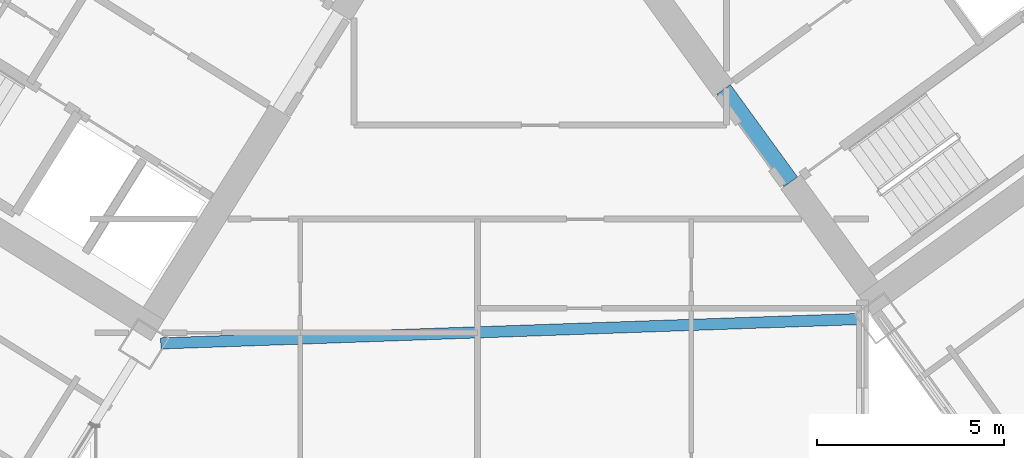
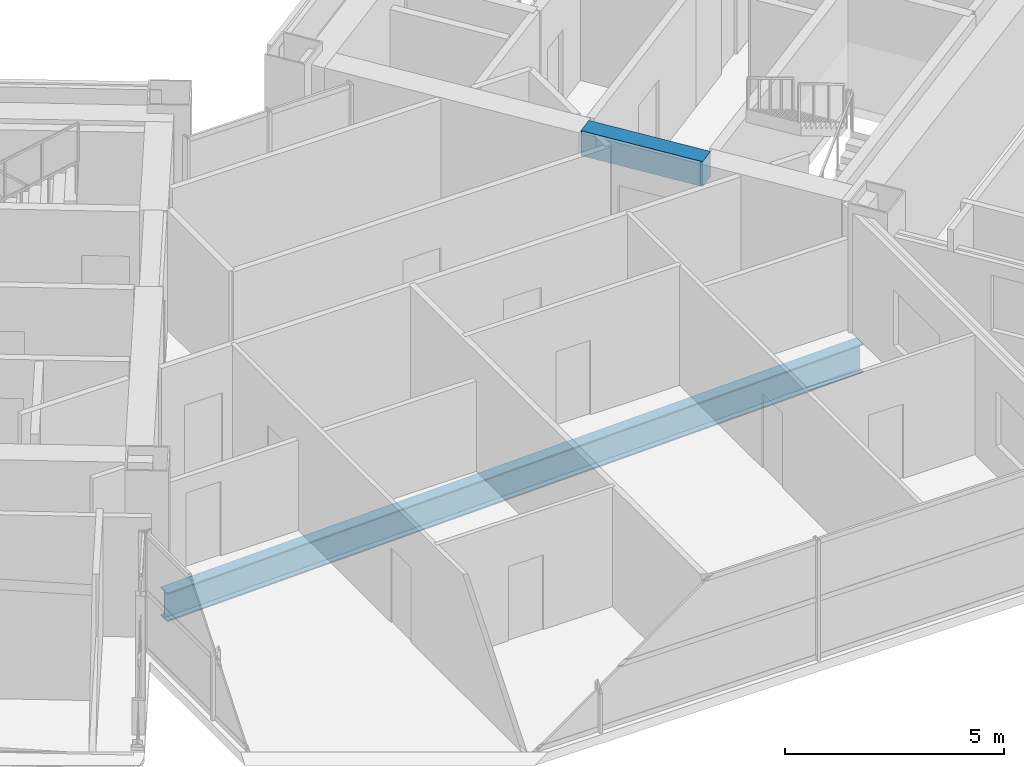
# One storey, part 8 of 28: 2 beams.
"""IFC4 building model written with IfcOpenShell, lengths in metres."""

from ifc_helpers import new_model, si_unit, direction, frame, origin, origin_2d, place, context, subcontext, project, spatial, rectangle, i_section, extrude, source, transform, mapped, material, material_profile, profile_set, type_object, element, save


model = new_model("IFC4")

# Units and contexts
model_context = context("Model", 3, precision=1e-05, world=origin(), true_north=direction((0.0, 1.0)))
body_context = subcontext(model_context, "Body", "Model", "MODEL_VIEW")
ifc_project = project(units=[si_unit("LENGTHUNIT", "METRE"), si_unit("AREAUNIT", "SQUARE_METRE"), si_unit("VOLUMEUNIT", "CUBIC_METRE"), si_unit("PLANEANGLEUNIT", "RADIAN"), si_unit("MASSUNIT", "GRAM", prefix="KILO")], contexts=[model_context])

# Site, building, storey
site_placement = place(None, origin())
site = spatial("IfcSite", under=ifc_project, at=site_placement, CompositionType="ELEMENT")
building_placement = place(site_placement, origin())
building = spatial("IfcBuilding", under=site, at=building_placement, Name="Tlacorven Tower", CompositionType="ELEMENT")
storey_placement = place(building_placement, frame((0.0, 0.0, 49.199951171875)))
storey = spatial("IfcBuildingStorey", under=building, at=storey_placement, Name="L12", CompositionType="ELEMENT", Elevation=49.199951171875)

# Beams
ifc_material_1 = material(Name="Concrete C60/75", Category="concrete")
ifc_material_profile_1 = material_profile(ifc_material_1, rectangle(XDim=0.449951171875, YDim=0.699951171875, at=origin_2d()), Name="RC 450X700")
ifc_profile_set_1 = profile_set([ifc_material_profile_1], Name="Concrete C60/75")
beam_type_1 = type_object("IfcBeamType", Name="BM-LNT-700", PredefinedType="LINTEL", material=ifc_profile_set_1)
shared_shape_1 = source(origin(), body_context, "Body", "SweptSolid", [
    extrude(rectangle(XDim=0.449951171875, YDim=0.699951171875, at=origin_2d()), origin(), (0.0, 0.0, 1.0), 3.050048828125),
])
beam_1_placement = place(storey_placement, frame((50.318359375, 16.416015625, 3.0), z_axis=(-0.587776590479, 0.80902328748, 0.0), x_axis=(-0.80902328748, -0.587776590479, 0.0)))
element("IfcBeam", 1, at=beam_1_placement, inside=storey, type_object=beam_type_1, Name="L12 E core coupling lintel beam E1", PredefinedType="LINTEL", context=body_context, shape_type="MappedRepresentation", body=[
    mapped(shared_shape_1, transform((0.0, 0.0, 0.0), scale=1.0)),
])
ifc_material_2 = material(Name="Steel S355J2", Category="steel")
ifc_material_profile_2 = material_profile(ifc_material_2, i_section(OverallWidth=0.300048828125, OverallDepth=0.800048828125, WebThickness=0.017578125, FlangeThickness=0.032958984375, at=origin_2d()), Name="HEB 800")
ifc_profile_set_2 = profile_set([ifc_material_profile_2], Name="Steel S355J2")
beam_type_2 = type_object("IfcBeamType", Name="BM-POD-800", PredefinedType="BEAM", material=ifc_profile_set_2)
shared_shape_2 = source(origin(), body_context, "Body", "SweptSolid", [
    extrude(i_section(OverallWidth=0.300048828125, OverallDepth=0.800048828125, WebThickness=0.017578125, FlangeThickness=0.032958984375, at=origin_2d()), origin(), (0.0, 0.0, 1.0), 18.771240234375),
])
beam_2_placement = place(storey_placement, frame((33.495849609375, 12.1025390625, -0.64990234375), z_axis=(0.999390514848, 0.034908434954, 0.0), x_axis=(-0.034908434954, 0.999390514848, 0.0)))
element("IfcBeam", 2, at=beam_2_placement, inside=storey, type_object=beam_type_2, Name="L12 Knuckle Link Girder 2", PredefinedType="BEAM", context=body_context, shape_type="MappedRepresentation", body=[
    mapped(shared_shape_2, transform((0.0, 0.0, 0.0), scale=1.0)),
])

save(model, "model.ifc")
